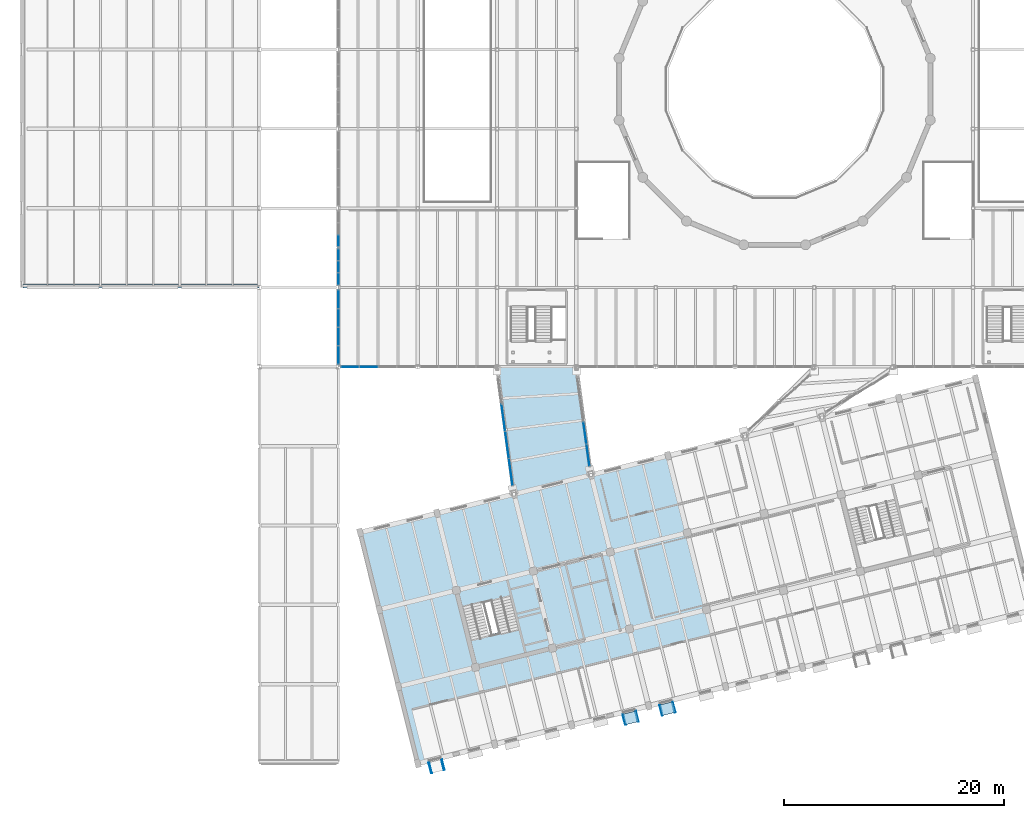
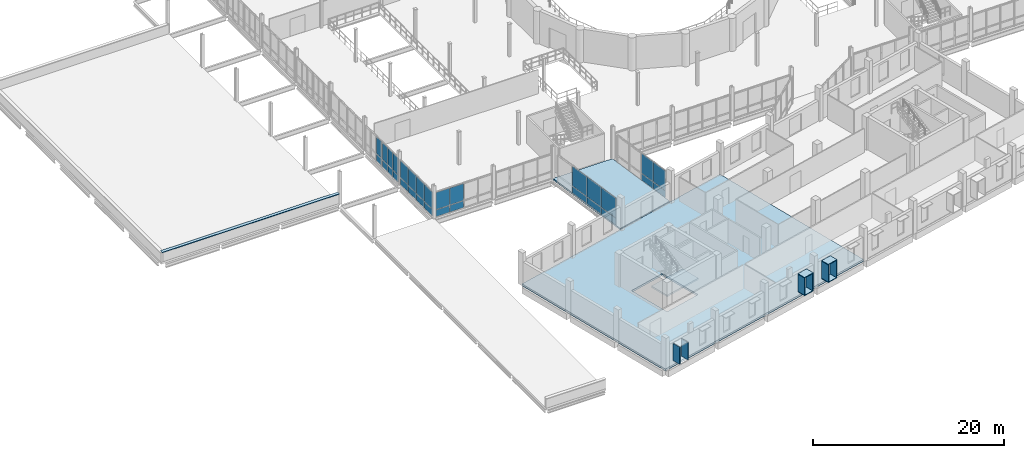
# One storey, part 43 of 72: 41 plates, 3 slabs, 7 elements without a shape of their own.
"""IFC4 building model written with IfcOpenShell, lengths in metres."""

from ifc_helpers import new_model, si_unit, direction, frame, frame_2d, origin, origin_2d, place, context, subcontext, project, spatial, polyline, rectangle, outline, extrude, material, layer, layer_set, type_object, element, aggregate, save


model = new_model("IFC4")

# Units and contexts
model_context = context("Model", 3, precision=1e-05, world=origin(), true_north=direction((0.0, 1.0)))
body_context = subcontext(model_context, "Body", "Model", "MODEL_VIEW")
ifc_project = project(units=[si_unit("LENGTHUNIT", "METRE"), si_unit("AREAUNIT", "SQUARE_METRE"), si_unit("VOLUMEUNIT", "CUBIC_METRE"), si_unit("PLANEANGLEUNIT", "RADIAN"), si_unit("MASSUNIT", "GRAM", prefix="KILO")], contexts=[model_context])

# Site, building, storey
site_placement = place(None, origin())
site = spatial("IfcSite", under=ifc_project, at=site_placement, CompositionType="ELEMENT")
building_placement = place(site_placement, origin())
building = spatial("IfcBuilding", under=site, at=building_placement, Name="Qiaolan Assembly House", CompositionType="ELEMENT")
storey_placement = place(building_placement, frame((0.0, 0.0, 10.199951171875)))
storey = spatial("IfcBuildingStorey", under=building, at=storey_placement, Name="L02", CompositionType="ELEMENT", Elevation=10.199951171875)

# Curtain wall, plates
ifc_material_1 = material(Name="Anodised bronze aluminium", Category="aluminium")
curtain_wall_type_1 = type_object("IfcCurtainWallType", Name="CW-BRIDGE-420", PredefinedType="NOTDEFINED", material=ifc_material_1)
curtain_wall_1_placement = place(storey_placement, origin())
curtain_wall_1 = element("IfcCurtainWall", 1, at=curtain_wall_1_placement, inside=storey, type_object=curtain_wall_type_1, Name="CW-03 Glazed Skybridge Curtain Wall WB L02 W", PredefinedType="NOTDEFINED")
ifc_material_2 = material(Name="Low-E double insulating glass", Category="glass")
ifc_layer_1 = layer(ifc_material_2, 0.030029296875)
ifc_layer_set_1 = layer_set([ifc_layer_1], Name="Low-E double insulating glass")
plate_type_1 = type_object("IfcPlateType", Name="CW-BRIDGE-420-PNL", PredefinedType="CURTAIN_PANEL", material=ifc_layer_set_1)
plate_1_placement = place(storey_placement, frame((44.60791015625, 25.26025390625, 0.05615234375), z_axis=(0.0, 0.0, 1.0), x_axis=(-0.134941925417, 0.990853509236, 0.0)))
plate_1 = element("IfcPlate", 2, at=plate_1_placement, type_object=plate_type_1, Name="GL-04 glazing panel CW-BRIDGE-WB-L02-W-1", PredefinedType="CURTAIN_PANEL", context=body_context, shape_type="SweptSolid", body=[
    extrude(rectangle(XDim=2.417236328125, YDim=0.030029296875, at=frame_2d((1.20849609375, 0.0))), origin(), (0.0, 0.0, 1.0), 0.867919921875),
])
plate_2_placement = place(storey_placement, frame((44.60791015625, 25.26025390625, 0.97607421875), z_axis=(0.0, 0.0, 1.0), x_axis=(-0.134941925417, 0.990853509236, 0.0)))
plate_2 = element("IfcPlate", 3, at=plate_2_placement, type_object=plate_type_1, Name="GL-04 glazing panel CW-BRIDGE-WB-L02-W-2", PredefinedType="CURTAIN_PANEL", context=body_context, shape_type="SweptSolid", body=[
    extrude(rectangle(XDim=2.417236328125, YDim=0.030029296875, at=frame_2d((1.20849609375, 0.0))), origin(), (0.0, 0.0, 1.0), 2.51806640625),
])
plate_3_placement = place(storey_placement, frame((44.2734375, 27.716552734375, 0.05615234375), z_axis=(0.0, 0.0, 1.0), x_axis=(-0.134941925417, 0.990853509236, 0.0)))
plate_3 = element("IfcPlate", 4, at=plate_3_placement, type_object=plate_type_1, Name="GL-04 glazing panel CW-BRIDGE-WB-L02-W-3", PredefinedType="CURTAIN_PANEL", context=body_context, shape_type="SweptSolid", body=[
    extrude(rectangle(XDim=2.417236328125, YDim=0.030029296875, at=frame_2d((1.20849609375, 0.0))), origin(), (0.0, 0.0, 1.0), 0.867919921875),
])
plate_4_placement = place(storey_placement, frame((44.2734375, 27.716552734375, 0.97607421875), z_axis=(0.0, 0.0, 1.0), x_axis=(-0.134941925417, 0.990853509236, 0.0)))
plate_4 = element("IfcPlate", 5, at=plate_4_placement, type_object=plate_type_1, Name="GL-04 glazing panel CW-BRIDGE-WB-L02-W-4", PredefinedType="CURTAIN_PANEL", context=body_context, shape_type="SweptSolid", body=[
    extrude(rectangle(XDim=2.417236328125, YDim=0.030029296875, at=frame_2d((1.20849609375, 0.0))), origin(), (0.0, 0.0, 1.0), 2.51806640625),
])
plate_5_placement = place(storey_placement, frame((43.93896484375, 30.173095703125, 0.05615234375), z_axis=(0.0, 0.0, 1.0), x_axis=(-0.134955431825, 0.990851669737, 0.0)))
plate_5 = element("IfcPlate", 6, at=plate_5_placement, type_object=plate_type_1, Name="GL-04 glazing panel CW-BRIDGE-WB-L02-W-5", PredefinedType="CURTAIN_PANEL", context=body_context, shape_type="SweptSolid", body=[
    extrude(rectangle(XDim=2.4169921875, YDim=0.030029296875, at=frame_2d((1.20849609375, 0.0))), origin(), (0.0, 0.0, 1.0), 0.867919921875),
])
plate_6_placement = place(storey_placement, frame((43.93896484375, 30.173095703125, 0.97607421875), z_axis=(0.0, 0.0, 1.0), x_axis=(-0.134955431825, 0.990851669737, 0.0)))
plate_6 = element("IfcPlate", 7, at=plate_6_placement, type_object=plate_type_1, Name="GL-04 glazing panel CW-BRIDGE-WB-L02-W-6", PredefinedType="CURTAIN_PANEL", context=body_context, shape_type="SweptSolid", body=[
    extrude(rectangle(XDim=2.4169921875, YDim=0.030029296875, at=frame_2d((1.20849609375, 0.0))), origin(), (0.0, 0.0, 1.0), 2.51806640625),
])
aggregate(curtain_wall_1, [plate_1, plate_2, plate_3, plate_4, plate_5, plate_6])

curtain_wall_2_placement = place(storey_placement, origin())
curtain_wall_2 = element("IfcCurtainWall", 8, at=curtain_wall_2_placement, inside=storey, type_object=curtain_wall_type_1, Name="CW-03 Glazed Skybridge Curtain Wall WB L02 E", PredefinedType="NOTDEFINED")
plate_7_placement = place(storey_placement, frame((51.04052734375, 30.982421875, 0.05615234375), z_axis=(0.0, 0.0, 1.0), x_axis=(0.13735984425, -0.990521212891, 0.0)))
plate_7 = element("IfcPlate", 9, at=plate_7_placement, type_object=plate_type_1, Name="GL-04 glazing panel CW-BRIDGE-WB-L02-E-5", PredefinedType="CURTAIN_PANEL", context=body_context, shape_type="SweptSolid", body=[
    extrude(rectangle(XDim=1.978271484375, YDim=0.030029296875, at=frame_2d((0.9892578125, 0.0))), origin(), (0.0, 0.0, 1.0), 0.867919921875),
])
plate_8_placement = place(storey_placement, frame((51.04052734375, 30.982421875, 0.97607421875), z_axis=(0.0, 0.0, 1.0), x_axis=(0.13735984425, -0.990521212891, 0.0)))
plate_8 = element("IfcPlate", 10, at=plate_8_placement, type_object=plate_type_1, Name="GL-04 glazing panel CW-BRIDGE-WB-L02-E-6", PredefinedType="CURTAIN_PANEL", context=body_context, shape_type="SweptSolid", body=[
    extrude(rectangle(XDim=1.978271484375, YDim=0.030029296875, at=frame_2d((0.9892578125, 0.0))), origin(), (0.0, 0.0, 1.0), 2.51806640625),
])
plate_9_placement = place(storey_placement, frame((51.32080078125, 28.961669921875, 0.05615234375), z_axis=(0.0, 0.0, 1.0), x_axis=(0.137343054833, -0.990523541007, 0.0)))
plate_9 = element("IfcPlate", 11, at=plate_9_placement, type_object=plate_type_1, Name="GL-04 glazing panel CW-BRIDGE-WB-L02-E-7", PredefinedType="CURTAIN_PANEL", context=body_context, shape_type="SweptSolid", body=[
    extrude(rectangle(XDim=1.978515625, YDim=0.030029296875, at=frame_2d((0.9892578125, 0.0))), origin(), (0.0, 0.0, 1.0), 0.867919921875),
])
plate_10_placement = place(storey_placement, frame((51.32080078125, 28.961669921875, 0.97607421875), z_axis=(0.0, 0.0, 1.0), x_axis=(0.137343054833, -0.990523541007, 0.0)))
plate_10 = element("IfcPlate", 12, at=plate_10_placement, type_object=plate_type_1, Name="GL-04 glazing panel CW-BRIDGE-WB-L02-E-8", PredefinedType="CURTAIN_PANEL", context=body_context, shape_type="SweptSolid", body=[
    extrude(rectangle(XDim=1.978515625, YDim=0.030029296875, at=frame_2d((0.9892578125, 0.0))), origin(), (0.0, 0.0, 1.0), 2.51806640625),
])
aggregate(curtain_wall_2, [plate_7, plate_8, plate_9, plate_10])

curtain_wall_type_2 = type_object("IfcCurtainWallType", Name="CW-HALL-UPPER-480", PredefinedType="NOTDEFINED", material=ifc_material_1)
curtain_wall_3_placement = place(storey_placement, origin())
curtain_wall_3 = element("IfcCurtainWall", 13, at=curtain_wall_3_placement, inside=storey, type_object=curtain_wall_type_2, Name="CW-01 Hall West facade L02-0", PredefinedType="NOTDEFINED")
ifc_layer_2 = layer(ifc_material_2, 0.031982421875)
ifc_layer_set_2 = layer_set([ifc_layer_2], Name="Low-E double insulating glass")
plate_type_2 = type_object("IfcPlateType", Name="CW-HALL-UPPER-480-PNL", PredefinedType="CURTAIN_PANEL", material=ifc_layer_set_2)
plate_11_placement = place(storey_placement, frame((28.800048828125, 36.2548828125, 0.06005859375), z_axis=(0.0, 0.0, 1.0), x_axis=(0.0, 1.0, 0.0)))
plate_11 = element("IfcPlate", 14, at=plate_11_placement, type_object=plate_type_2, Name="GL-02 glazing panel CW-HALL-W-L02-0-1", PredefinedType="CURTAIN_PANEL", context=body_context, shape_type="SweptSolid", body=[
    extrude(rectangle(XDim=1.6201171875, YDim=0.031982421875, at=frame_2d((0.81005859375, 0.0))), origin(), (0.0, 0.0, 1.0), 0.860107421875),
])
plate_12_placement = place(storey_placement, frame((28.800048828125, 36.2548828125, 0.97998046875), z_axis=(0.0, 0.0, 1.0), x_axis=(0.0, 1.0, 0.0)))
plate_12 = element("IfcPlate", 15, at=plate_12_placement, type_object=plate_type_2, Name="GL-02 glazing panel CW-HALL-W-L02-0-2", PredefinedType="CURTAIN_PANEL", context=body_context, shape_type="SweptSolid", body=[
    extrude(rectangle(XDim=1.6201171875, YDim=0.031982421875, at=frame_2d((0.81005859375, 0.0))), origin(), (0.0, 0.0, 1.0), 2.16015625),
])
plate_13_placement = place(storey_placement, frame((28.800048828125, 37.945068359375, 0.06005859375), z_axis=(0.0, 0.0, 1.0), x_axis=(0.0, 1.0, 0.0)))
plate_13 = element("IfcPlate", 16, at=plate_13_placement, type_object=plate_type_2, Name="GL-02 glazing panel CW-HALL-W-L02-0-3", PredefinedType="CURTAIN_PANEL", context=body_context, shape_type="SweptSolid", body=[
    extrude(rectangle(XDim=1.619873046875, YDim=0.031982421875, at=frame_2d((0.81005859375, 0.0))), origin(), (0.0, 0.0, 1.0), 0.860107421875),
])
plate_14_placement = place(storey_placement, frame((28.800048828125, 37.945068359375, 0.97998046875), z_axis=(0.0, 0.0, 1.0), x_axis=(0.0, 1.0, 0.0)))
plate_14 = element("IfcPlate", 17, at=plate_14_placement, type_object=plate_type_2, Name="GL-02 glazing panel CW-HALL-W-L02-0-4", PredefinedType="CURTAIN_PANEL", context=body_context, shape_type="SweptSolid", body=[
    extrude(rectangle(XDim=1.619873046875, YDim=0.031982421875, at=frame_2d((0.81005859375, 0.0))), origin(), (0.0, 0.0, 1.0), 2.16015625),
])
plate_15_placement = place(storey_placement, frame((28.800048828125, 39.635009765625, 0.06005859375), z_axis=(0.0, 0.0, 1.0), x_axis=(0.0, 1.0, 0.0)))
plate_15 = element("IfcPlate", 18, at=plate_15_placement, type_object=plate_type_2, Name="GL-02 glazing panel CW-HALL-W-L02-0-5", PredefinedType="CURTAIN_PANEL", context=body_context, shape_type="SweptSolid", body=[
    extrude(rectangle(XDim=1.619873046875, YDim=0.031982421875, at=frame_2d((0.81005859375, 0.0))), origin(), (0.0, 0.0, 1.0), 0.860107421875),
])
plate_16_placement = place(storey_placement, frame((28.800048828125, 39.635009765625, 0.97998046875), z_axis=(0.0, 0.0, 1.0), x_axis=(0.0, 1.0, 0.0)))
plate_16 = element("IfcPlate", 19, at=plate_16_placement, type_object=plate_type_2, Name="GL-02 glazing panel CW-HALL-W-L02-0-6", PredefinedType="CURTAIN_PANEL", context=body_context, shape_type="SweptSolid", body=[
    extrude(rectangle(XDim=1.619873046875, YDim=0.031982421875, at=frame_2d((0.81005859375, 0.0))), origin(), (0.0, 0.0, 1.0), 2.16015625),
])
plate_17_placement = place(storey_placement, frame((28.800048828125, 41.324951171875, 0.06005859375), z_axis=(0.0, 0.0, 1.0), x_axis=(0.0, 1.0, 0.0)))
plate_17 = element("IfcPlate", 20, at=plate_17_placement, type_object=plate_type_2, Name="GL-02 glazing panel CW-HALL-W-L02-0-7", PredefinedType="CURTAIN_PANEL", context=body_context, shape_type="SweptSolid", body=[
    extrude(rectangle(XDim=1.6201171875, YDim=0.031982421875, at=frame_2d((0.81005859375, 0.0))), origin(), (0.0, 0.0, 1.0), 0.860107421875),
])
plate_18_placement = place(storey_placement, frame((28.800048828125, 41.324951171875, 0.97998046875), z_axis=(0.0, 0.0, 1.0), x_axis=(0.0, 1.0, 0.0)))
plate_18 = element("IfcPlate", 21, at=plate_18_placement, type_object=plate_type_2, Name="GL-02 glazing panel CW-HALL-W-L02-0-8", PredefinedType="CURTAIN_PANEL", context=body_context, shape_type="SweptSolid", body=[
    extrude(rectangle(XDim=1.6201171875, YDim=0.031982421875, at=frame_2d((0.81005859375, 0.0))), origin(), (0.0, 0.0, 1.0), 2.16015625),
])
aggregate(curtain_wall_3, [plate_11, plate_12, plate_13, plate_14, plate_15, plate_16, plate_17, plate_18])

curtain_wall_4_placement = place(storey_placement, origin())
curtain_wall_4 = element("IfcCurtainWall", 22, at=curtain_wall_4_placement, inside=storey, type_object=curtain_wall_type_2, Name="CW-01 Hall West facade L02-1A", PredefinedType="NOTDEFINED")
plate_19_placement = place(storey_placement, frame((28.800048828125, 43.455078125, 0.06005859375), z_axis=(0.0, 0.0, 1.0), x_axis=(0.0, 1.0, 0.0)))
plate_19 = element("IfcPlate", 23, at=plate_19_placement, type_object=plate_type_2, Name="GL-02 glazing panel CW-HALL-W-L02-1A-1", PredefinedType="CURTAIN_PANEL", context=body_context, shape_type="SweptSolid", body=[
    extrude(rectangle(XDim=1.030029296875, YDim=0.031982421875, at=frame_2d((0.51513671875, 0.0))), origin(), (0.0, 0.0, 1.0), 0.860107421875),
])
plate_20_placement = place(storey_placement, frame((28.800048828125, 43.455078125, 0.97998046875), z_axis=(0.0, 0.0, 1.0), x_axis=(0.0, 1.0, 0.0)))
plate_20 = element("IfcPlate", 24, at=plate_20_placement, type_object=plate_type_2, Name="GL-02 glazing panel CW-HALL-W-L02-1A-2", PredefinedType="CURTAIN_PANEL", context=body_context, shape_type="SweptSolid", body=[
    extrude(rectangle(XDim=1.030029296875, YDim=0.031982421875, at=frame_2d((0.51513671875, 0.0))), origin(), (0.0, 0.0, 1.0), 2.16015625),
])
plate_21_placement = place(storey_placement, frame((28.800048828125, 44.554931640625, 0.06005859375), z_axis=(0.0, 0.0, 1.0), x_axis=(0.0, 1.0, 0.0)))
plate_21 = element("IfcPlate", 25, at=plate_21_placement, type_object=plate_type_2, Name="GL-02 glazing panel CW-HALL-W-L02-1A-3", PredefinedType="CURTAIN_PANEL", context=body_context, shape_type="SweptSolid", body=[
    extrude(rectangle(XDim=1.030029296875, YDim=0.031982421875, at=frame_2d((0.51513671875, 0.0))), origin(), (0.0, 0.0, 1.0), 0.860107421875),
])
plate_22_placement = place(storey_placement, frame((28.800048828125, 44.554931640625, 0.97998046875), z_axis=(0.0, 0.0, 1.0), x_axis=(0.0, 1.0, 0.0)))
plate_22 = element("IfcPlate", 26, at=plate_22_placement, type_object=plate_type_2, Name="GL-02 glazing panel CW-HALL-W-L02-1A-4", PredefinedType="CURTAIN_PANEL", context=body_context, shape_type="SweptSolid", body=[
    extrude(rectangle(XDim=1.030029296875, YDim=0.031982421875, at=frame_2d((0.51513671875, 0.0))), origin(), (0.0, 0.0, 1.0), 2.16015625),
])
plate_23_placement = place(storey_placement, frame((28.800048828125, 45.655029296875, 0.06005859375), z_axis=(0.0, 0.0, 1.0), x_axis=(0.0, 1.0, 0.0)))
plate_23 = element("IfcPlate", 27, at=plate_23_placement, type_object=plate_type_2, Name="GL-02 glazing panel CW-HALL-W-L02-1A-5", PredefinedType="CURTAIN_PANEL", context=body_context, shape_type="SweptSolid", body=[
    extrude(rectangle(XDim=1.030029296875, YDim=0.031982421875, at=frame_2d((0.51513671875, 0.0))), origin(), (0.0, 0.0, 1.0), 0.860107421875),
])
plate_24_placement = place(storey_placement, frame((28.800048828125, 45.655029296875, 0.97998046875), z_axis=(0.0, 0.0, 1.0), x_axis=(0.0, 1.0, 0.0)))
plate_24 = element("IfcPlate", 28, at=plate_24_placement, type_object=plate_type_2, Name="GL-02 glazing panel CW-HALL-W-L02-1A-6", PredefinedType="CURTAIN_PANEL", context=body_context, shape_type="SweptSolid", body=[
    extrude(rectangle(XDim=1.030029296875, YDim=0.031982421875, at=frame_2d((0.51513671875, 0.0))), origin(), (0.0, 0.0, 1.0), 2.16015625),
])
aggregate(curtain_wall_4, [plate_19, plate_20, plate_21, plate_22, plate_23, plate_24])

curtain_wall_5_placement = place(storey_placement, origin())
curtain_wall_5 = element("IfcCurtainWall", 29, at=curtain_wall_5_placement, inside=storey, type_object=curtain_wall_type_2, Name="CW-01 Hall West facade L02-1B", PredefinedType="NOTDEFINED")
plate_25_placement = place(storey_placement, frame((28.800048828125, 46.9150390625, 0.06005859375), z_axis=(0.0, 0.0, 1.0), x_axis=(0.0, 1.0, 0.0)))
plate_25 = element("IfcPlate", 30, at=plate_25_placement, type_object=plate_type_2, Name="GL-02 glazing panel CW-HALL-W-L02-1B-1", PredefinedType="CURTAIN_PANEL", context=body_context, shape_type="SweptSolid", body=[
    extrude(rectangle(XDim=1.030029296875, YDim=0.031982421875, at=frame_2d((0.51513671875, 0.0))), origin(), (0.0, 0.0, 1.0), 0.860107421875),
])
plate_26_placement = place(storey_placement, frame((28.800048828125, 46.9150390625, 0.97998046875), z_axis=(0.0, 0.0, 1.0), x_axis=(0.0, 1.0, 0.0)))
plate_26 = element("IfcPlate", 31, at=plate_26_placement, type_object=plate_type_2, Name="GL-02 glazing panel CW-HALL-W-L02-1B-2", PredefinedType="CURTAIN_PANEL", context=body_context, shape_type="SweptSolid", body=[
    extrude(rectangle(XDim=1.030029296875, YDim=0.031982421875, at=frame_2d((0.51513671875, 0.0))), origin(), (0.0, 0.0, 1.0), 2.16015625),
])
aggregate(curtain_wall_5, [plate_25, plate_26])

curtain_wall_6_placement = place(storey_placement, origin())
curtain_wall_6 = element("IfcCurtainWall", 32, at=curtain_wall_6_placement, inside=storey, type_object=curtain_wall_type_2, Name="CW-01 Hall South plaza curtain wall L02-1", PredefinedType="NOTDEFINED")
plate_27_placement = place(storey_placement, frame((29.054931640625, 36.0, 0.06005859375), z_axis=(0.0, 0.0, 1.0), x_axis=(1.0, 0.0, 0.0)))
plate_27 = element("IfcPlate", 33, at=plate_27_placement, type_object=plate_type_2, Name="GL-02 glazing panel CW-HALL-S-L02-00-1", PredefinedType="CURTAIN_PANEL", context=body_context, shape_type="SweptSolid", body=[
    extrude(rectangle(XDim=1.6201171875, YDim=0.031982421875, at=frame_2d((0.81005859375, 0.0))), origin(), (0.0, 0.0, 1.0), 0.860107421875),
])
plate_28_placement = place(storey_placement, frame((29.054931640625, 36.0, 0.97998046875), z_axis=(0.0, 0.0, 1.0), x_axis=(1.0, 0.0, 0.0)))
plate_28 = element("IfcPlate", 34, at=plate_28_placement, type_object=plate_type_2, Name="GL-02 glazing panel CW-HALL-S-L02-00-2", PredefinedType="CURTAIN_PANEL", context=body_context, shape_type="SweptSolid", body=[
    extrude(rectangle(XDim=1.6201171875, YDim=0.031982421875, at=frame_2d((0.81005859375, 0.0))), origin(), (0.0, 0.0, 1.0), 2.16015625),
])
plate_29_placement = place(storey_placement, frame((30.7451171875, 36.0, 0.06005859375), z_axis=(0.0, 0.0, 1.0), x_axis=(1.0, 0.0, 0.0)))
plate_29 = element("IfcPlate", 35, at=plate_29_placement, type_object=plate_type_2, Name="GL-02 glazing panel CW-HALL-S-L02-00-3", PredefinedType="CURTAIN_PANEL", context=body_context, shape_type="SweptSolid", body=[
    extrude(rectangle(XDim=1.619873046875, YDim=0.031982421875, at=frame_2d((0.81005859375, 0.0))), origin(), (0.0, 0.0, 1.0), 0.860107421875),
])
plate_30_placement = place(storey_placement, frame((30.7451171875, 36.0, 0.97998046875), z_axis=(0.0, 0.0, 1.0), x_axis=(1.0, 0.0, 0.0)))
plate_30 = element("IfcPlate", 36, at=plate_30_placement, type_object=plate_type_2, Name="GL-02 glazing panel CW-HALL-S-L02-00-4", PredefinedType="CURTAIN_PANEL", context=body_context, shape_type="SweptSolid", body=[
    extrude(rectangle(XDim=1.619873046875, YDim=0.031982421875, at=frame_2d((0.81005859375, 0.0))), origin(), (0.0, 0.0, 1.0), 2.16015625),
])
aggregate(curtain_wall_6, [plate_27, plate_28, plate_29, plate_30])

# Plates
ifc_material_3 = material(Name="Honed pale limestone", Category="masonry")
ifc_layer_3 = layer(ifc_material_3, 0.074951171875)
ifc_layer_set_3 = layer_set([ifc_layer_3], Name="Honed pale limestone")
plate_type_3 = type_object("IfcPlateType", Name="PLT-COPING-STONE-380", PredefinedType="SHEET", material=ifc_layer_set_3)
plate_31_placement = place(storey_placement, frame((21.60009765625, 43.35009765625, 1.199951171875), z_axis=(0.0, 0.0, 1.0), x_axis=(-1.0, 0.0, 0.0)))
element("IfcPlate", 37, at=plate_31_placement, inside=storey, type_object=plate_type_3, Name="CP-01 carved limestone parapet coping PAR-PORT-S", PredefinedType="SHEET", context=body_context, shape_type="SweptSolid", body=[
    extrude(rectangle(XDim=21.4501953125, YDim=0.3798828125, at=frame_2d((10.72509765625, 0.0))), origin(), (0.0, 0.0, 1.0), 0.0751953125),
])
ifc_layer_4 = layer(ifc_material_3, 0.0849609375)
ifc_layer_set_4 = layer_set([ifc_layer_4], Name="Honed pale limestone")
plate_type_4 = type_object("IfcPlateType", Name="PLT-WINBOX-CHEEK", PredefinedType="SHEET", material=ifc_layer_set_4)
for number, where, z_axis, x_axis, name in (
    (38, (37.13720703125, -0.396728515625, 0.7001953125), (0.0, 0.0, 1.0), (0.970295726276, 0.2419218956, 0.0), "WB-02 projecting window-box cheek CL SES-L02-00-0"),
    (39, (38.287109375, -0.10986328125, 0.7001953125), (0.0, 0.0, 1.0), (0.970295726276, 0.2419218956, 0.0), "WB-02 projecting window-box cheek CR SES-L02-00-0"),
    (40, (54.748046875, 3.994140625, 0.7001953125), (0.0, 0.0, 1.0), (0.970295726276, 0.2419218956, 0.0), "WB-02 projecting window-box cheek CL SES-L02-02-2"),
    (41, (55.89794921875, 4.281005859375, 0.7001953125), (0.0, 0.0, 1.0), (0.970295726276, 0.2419218956, 0.0), "WB-02 projecting window-box cheek CR SES-L02-02-2"),
    (42, (58.095703125, 4.828857421875, 0.7001953125), (0.0, 0.0, 1.0), (0.970295726276, 0.2419218956, 0.0), "WB-02 projecting window-box cheek CL SES-L02-03-0"),
    (43, (59.245361328125, 5.115478515625, 0.7001953125), (0.0, 0.0, 1.0), (0.970295726276, 0.2419218956, 0.0), "WB-02 projecting window-box cheek CR SES-L02-03-0"),
):
    element("IfcPlate", number, at=place(storey_placement, frame(where, z_axis=z_axis, x_axis=x_axis)), inside=storey, type_object=plate_type_4, Name=name, PredefinedType="SHEET", context=body_context, shape_type="SweptSolid", body=[
        extrude(rectangle(XDim=0.0849609375, YDim=1.0, at=origin_2d()), origin(), (0.0, 0.0, 1.0), 2.18994140625),
    ])
ifc_layer_5 = layer(ifc_material_3, 0.080078125)
ifc_layer_set_5 = layer_set([ifc_layer_5], Name="Honed pale limestone")
plate_type_5 = type_object("IfcPlateType", Name="PLT-WINBOX-SURROUND", PredefinedType="SHEET", material=ifc_layer_set_5)
for number, where, name in (
    (44, (0.0, 0.0, 0.6201171875), "WB-01 projecting limestone window-box sill SES-L02-02-2"),
    (45, (0.0, 0.0, 2.89013671875), "WB-01 projecting limestone window-box hood SES-L02-02-2"),
):
    element("IfcPlate", number, at=place(storey_placement, frame(where)), inside=storey, type_object=plate_type_5, Name=name, PredefinedType="SHEET", context=body_context, shape_type="SweptSolid", body=[
        extrude(outline(polyline([(54.827880859375, 3.498779296875), (56.06005859375, 3.80615234375), (55.818115234375, 4.7763671875), (54.5859375, 4.468994140625), (54.827880859375, 3.498779296875)])), origin(), (0.0, 0.0, 1.0), 0.079833984375),
    ])
for number, where, name in (
    (46, (0.0, 0.0, 0.6201171875), "WB-01 projecting limestone window-box sill SES-L02-03-0"),
    (47, (0.0, 0.0, 2.89013671875), "WB-01 projecting limestone window-box hood SES-L02-03-0"),
):
    element("IfcPlate", number, at=place(storey_placement, frame(where)), inside=storey, type_object=plate_type_5, Name=name, PredefinedType="SHEET", context=body_context, shape_type="SweptSolid", body=[
        extrude(outline(polyline([(58.17529296875, 4.33349609375), (59.40771484375, 4.640625), (59.165771484375, 5.61083984375), (57.933349609375, 5.3037109375), (58.17529296875, 4.33349609375)])), origin(), (0.0, 0.0, 1.0), 0.079833984375),
    ])

# Slabs
ifc_material_4 = material(Name="Concrete C40/50", Category="concrete")
ifc_layer_6 = layer(ifc_material_4, 0.18505859375)
ifc_layer_set_6 = layer_set([ifc_layer_6], Name="Concrete C40/50")
slab_type_1 = type_object("IfcSlabType", Name="SLB-BRIDGE-185", PredefinedType="FLOOR", material=ifc_layer_set_6)
slab_1_placement = place(storey_placement, frame((0.0, 0.0, -0.18505859375)))
element("IfcSlab", 48, at=slab_1_placement, inside=storey, type_object=slab_type_1, Name="FS-08 Glazed Skybridge Deck WB L02", PredefinedType="FLOOR", context=body_context, shape_type="SweptSolid", body=[
    extrude(outline(polyline([(44.7177734375, 24.55859375), (51.703857421875, 26.30029296875), (50.39990234375, 36.0), (43.199951171875, 36.0), (44.7177734375, 24.55859375)])), origin(), (0.0, 0.0, 1.0), 0.18505859375),
])
ifc_layer_7 = layer(ifc_material_4, 0.25)
ifc_layer_set_7 = layer_set([ifc_layer_7], Name="Concrete C40/50")
slab_type_2 = type_object("IfcSlabType", Name="SLB-COMM-250", PredefinedType="FLOOR", material=ifc_layer_set_7)
slab_2_placement = place(storey_placement, frame((0.0, 0.0, -0.25)))
element("IfcSlab", 49, at=slab_2_placement, inside=storey, type_object=slab_type_2, Name="FS-01 South-East Splayed Wing West Plate L02", PredefinedType="FLOOR", context=body_context, shape_type="SweptSolid", body=[
    extrude(outline(polyline([(36.0, 0.0), (63.944580078125, 6.96728515625), (58.718994140625, 27.92578125), (30.7744140625, 20.95849609375), (36.0, 0.0)]), holes=[polyline([(40.095703125, 14.161376953125), (44.442626953125, 15.245361328125), (45.73681640625, 10.05419921875), (41.389892578125, 8.970458984375), (40.095703125, 14.161376953125)])]), origin(), (0.0, 0.0, 1.0), 0.25),
])

# Stair, slab
stair_type = type_object("IfcStairType", Name="STR-STD-420", PredefinedType="HALF_TURN_STAIR", material=ifc_material_4)
stair_placement = place(storey_placement, origin())
stair = element("IfcStair", 50, at=stair_placement, inside=storey, type_object=stair_type, Name="ST-05 enclosed egress stair CORE-C L02", PredefinedType="HALF_TURN_STAIR")
ifc_layer_8 = layer(ifc_material_4, 0.199951171875)
ifc_layer_set_8 = layer_set([ifc_layer_8], Name="Concrete C40/50")
slab_type_3 = type_object("IfcSlabType", Name="SLB-LANDING-200", PredefinedType="LANDING", material=ifc_layer_set_8)
slab_3_placement = place(storey_placement, frame((0.0, 0.0, 1.900146484375)))
slab_3 = element("IfcSlab", 51, at=slab_3_placement, type_object=slab_type_3, Name="Stair landing LND-CORE-C-L02-HL", PredefinedType="LANDING", context=body_context, shape_type="SweptSolid", body=[
    extrude(outline(polyline([(41.37548828125, 8.946044921875), (40.797119140625, 11.26513671875), (45.202392578125, 12.363525390625), (45.780517578125, 10.04443359375), (41.37548828125, 8.946044921875)])), origin(), (0.0, 0.0, 1.0), 0.199951171875),
])
aggregate(stair, [slab_3])

save(model, "model.ifc")
